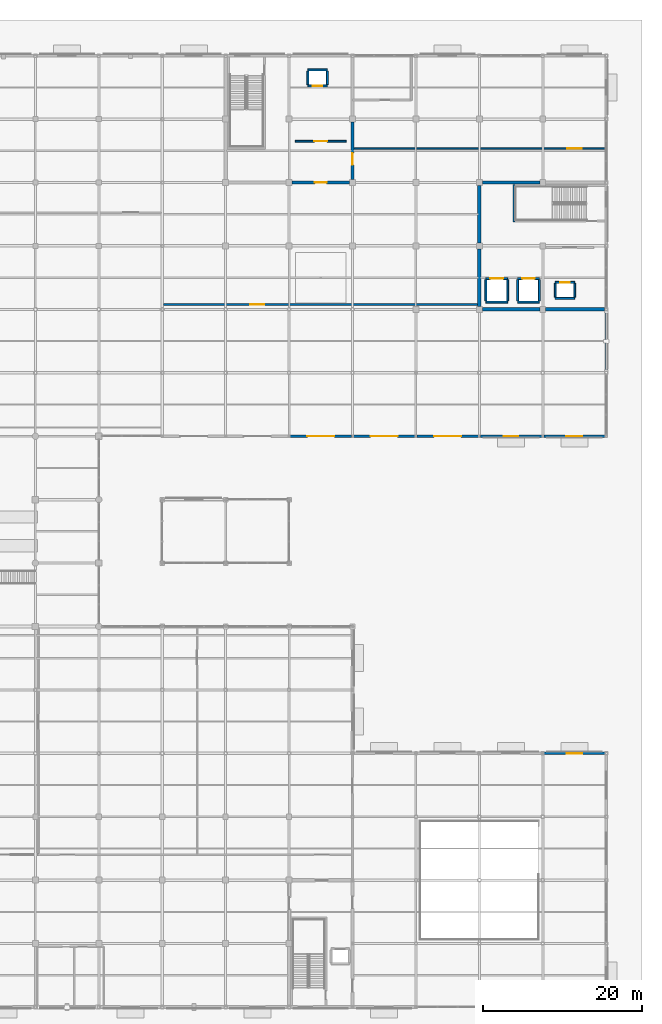
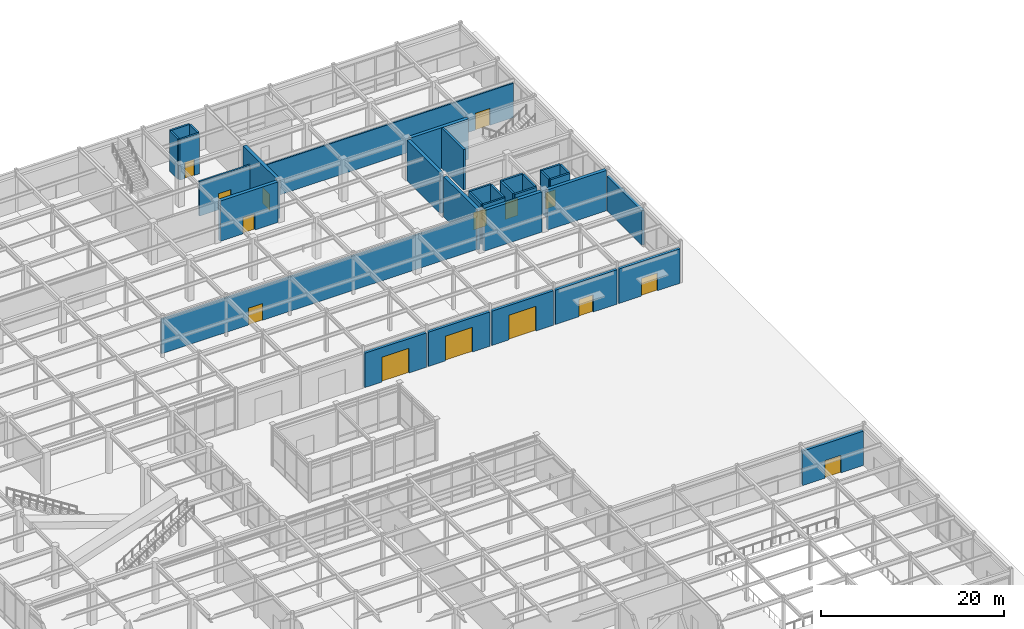
# One storey, part 107 of 128: 34 walls, 15 doors, 15 openings.
"""IFC4 building model written with IfcOpenShell, lengths in metres."""

from ifc_helpers import new_model, si_unit, direction, frame, frame_2d, origin, place, context, subcontext, project, spatial, rectangle, extrude, material, layer, layer_set, type_object, element, fill, save


model = new_model("IFC4")

# Units and contexts
model_context = context("Model", 3, precision=1e-05, world=origin(), true_north=direction((0.0, 1.0)))
body_context = subcontext(model_context, "Body", "Model", "MODEL_VIEW")
ifc_project = project(units=[si_unit("LENGTHUNIT", "METRE"), si_unit("AREAUNIT", "SQUARE_METRE"), si_unit("VOLUMEUNIT", "CUBIC_METRE"), si_unit("PLANEANGLEUNIT", "RADIAN"), si_unit("MASSUNIT", "GRAM", prefix="KILO")], contexts=[model_context])

# Site, building, storey
site_placement = place(None, origin())
site = spatial("IfcSite", under=ifc_project, at=site_placement, CompositionType="ELEMENT")
building_placement = place(site_placement, origin())
building = spatial("IfcBuilding", under=site, at=building_placement, Name="Solmirada Galleria", CompositionType="ELEMENT")
storey_placement = place(building_placement, origin())
storey = spatial("IfcBuildingStorey", under=building, at=storey_placement, Name="L00", CompositionType="ELEMENT", Elevation=0.0)

# Wall, opening, door
ifc_material_1 = material(Name="Concrete C40/50", Category="concrete")
ifc_layer_1 = layer(ifc_material_1, 0.419921875)
ifc_layer_set_1 = layer_set([ifc_layer_1], Name="Concrete C40/50")
wall_type_1 = type_object("IfcWallType", Name="WL-CORE-420", PredefinedType="SHEAR", material=ifc_layer_set_1)
wall_1_placement = place(storey_placement, frame((136.375, 104.0, 0.0), z_axis=(0.0, 0.0, 1.0), x_axis=(1.0, 0.0, 0.0)))
wall_1 = element("IfcWall", 1, at=wall_1_placement, inside=storey, type_object=wall_type_1, Name="Core C3 shear wall L00 S2", PredefinedType="SHEAR", context=body_context, shape_type="SweptSolid", body=[
    extrude(rectangle(XDim=7.25, YDim=0.419921875, at=frame_2d((3.625, 0.0))), origin(), (0.0, 0.0, 1.0), 5.3798828125),
])
opening_1_placement = place(wall_1_placement, frame((2.875, 0.0, 0.0)))
opening_1 = element("IfcOpeningElement", 2, at=opening_1_placement, cuts=wall_1, Name="Opening LDY-174", PredefinedType="OPENING", context=body_context, shape_type="SweptSolid", body=[
    extrude(rectangle(XDim=1.5, YDim=2.14990234375, at=frame_2d((0.75, 1.074951171875))), frame((0.0, 0.219970703125, 0.0), z_axis=(0.0, -1.0, 0.0), x_axis=(1.0, 0.0, 0.0)), (0.0, 0.0, 1.0), 0.43994140625),
])
ifc_material_2 = material(Name="Fire-rated painted steel door assembly", Category="steel")
door_type_1 = type_object("IfcDoorType", Name="DR-LOBBY-150X215", OperationType="DOUBLE_DOOR_SINGLE_SWING", PredefinedType="DOOR", material=ifc_material_2)
door_1_placement = place(opening_1_placement, origin())
door_1 = element("IfcDoor", 3, at=door_1_placement, inside=storey, type_object=door_type_1, Name="Core C3 lobby access fire door LDY-174", OperationType="DOUBLE_DOOR_SINGLE_SWING", OverallHeight=2.14990234375, OverallWidth=1.5, PredefinedType="DOOR", context=body_context, shape_type="SweptSolid", body=[
    extrude(rectangle(XDim=1.5, YDim=2.14990234375, at=frame_2d((0.75, 1.074951171875))), frame((0.0, 0.02490234375, 0.0), z_axis=(0.0, -1.0, 0.0), x_axis=(1.0, 0.0, 0.0)), (0.0, 0.0, 1.0), 0.050048828125),
])
fill(opening_1, door_1)

wall_2_placement = place(storey_placement, frame((144.0, 104.375, 0.0), z_axis=(0.0, 0.0, 1.0), x_axis=(0.0, 1.0, 0.0)))
wall_2 = element("IfcWall", 4, at=wall_2_placement, inside=storey, type_object=wall_type_1, Name="Core C3 shear wall L00 E1", PredefinedType="SHEAR", context=body_context, shape_type="SweptSolid", body=[
    extrude(rectangle(XDim=7.25, YDim=0.419921875, at=frame_2d((3.625, 0.0))), origin(), (0.0, 0.0, 1.0), 5.3798828125),
])
opening_2_placement = place(wall_2_placement, frame((1.837890625, 0.0, 0.0)))
opening_2 = element("IfcOpeningElement", 5, at=opening_2_placement, cuts=wall_2, Name="Opening LDY-175", PredefinedType="OPENING", context=body_context, shape_type="SweptSolid", body=[
    extrude(rectangle(XDim=1.5, YDim=2.14990234375, at=frame_2d((0.75, 1.074951171875))), frame((0.0, 0.219970703125, 0.0), z_axis=(0.0, -1.0, 0.0), x_axis=(1.0, 0.0, 0.0)), (0.0, 0.0, 1.0), 0.43994140625),
])
door_2_placement = place(opening_2_placement, origin())
door_2 = element("IfcDoor", 6, at=door_2_placement, inside=storey, type_object=door_type_1, Name="Core C3 lobby access fire door LDY-175", OperationType="DOUBLE_DOOR_SINGLE_SWING", OverallHeight=2.14990234375, OverallWidth=1.5, PredefinedType="DOOR", context=body_context, shape_type="SweptSolid", body=[
    extrude(rectangle(XDim=1.5, YDim=2.14990234375, at=frame_2d((0.75, 1.074951171875))), frame((0.0, 0.02490234375, 0.0), z_axis=(0.0, -1.0, 0.0), x_axis=(1.0, 0.0, 0.0)), (0.0, 0.0, 1.0), 0.050048828125),
])
fill(opening_2, door_2)

# Walls
wall_3_placement = place(storey_placement, frame((160.375, 88.0, 0.0), z_axis=(0.0, 0.0, 1.0), x_axis=(1.0, 0.0, 0.0)))
element("IfcWall", 7, at=wall_3_placement, inside=storey, type_object=wall_type_1, Name="Core C4 shear wall L00 S1", PredefinedType="SHEAR", context=body_context, shape_type="SweptSolid", body=[
    extrude(rectangle(XDim=7.25, YDim=0.419921875, at=frame_2d((3.625, 0.0))), origin(), (0.0, 0.0, 1.0), 5.3798828125),
])
wall_4_placement = place(storey_placement, frame((168.375, 88.0, 0.0), z_axis=(0.0, 0.0, 1.0), x_axis=(1.0, 0.0, 0.0)))
element("IfcWall", 8, at=wall_4_placement, inside=storey, type_object=wall_type_1, Name="Core C4 shear wall L00 S2", PredefinedType="SHEAR", context=body_context, shape_type="SweptSolid", body=[
    extrude(rectangle(XDim=7.422119140625, YDim=0.419921875, at=frame_2d((3.7109375, 0.0))), origin(), (0.0, 0.0, 1.0), 5.3798828125),
])
for number, where, z_axis, x_axis, name in (
    (9, (160.375, 104.0, 0.0), (0.0, 0.0, 1.0), (1.0, 0.0, 0.0), "Core C4 shear wall L00 N1"),
    (10, (160.0, 88.375, 0.0), (0.0, 0.0, 1.0), (0.0, 1.0, 0.0), "Core C4 shear wall L00 W1"),
    (11, (160.0, 96.375, 0.0), (0.0, 0.0, 1.0), (0.0, 1.0, 0.0), "Core C4 shear wall L00 W2"),
):
    element("IfcWall", number, at=place(storey_placement, frame(where, z_axis=z_axis, x_axis=x_axis)), inside=storey, type_object=wall_type_1, Name=name, PredefinedType="SHEAR", context=body_context, shape_type="SweptSolid", body=[
        extrude(rectangle(XDim=7.25, YDim=0.419921875, at=frame_2d((3.625, 0.0))), origin(), (0.0, 0.0, 1.0), 5.3798828125),
    ])

# Wall, opening, door
ifc_material_3 = material(Name="Precast concrete C40/50", Category="concrete")
ifc_layer_2 = layer(ifc_material_3, 0.340087890625)
ifc_layer_set_2 = layer_set([ifc_layer_2], Name="Precast concrete C40/50")
wall_type_2 = type_object("IfcWallType", Name="WL-EXT-340", PredefinedType="STANDARD", material=ifc_layer_set_2)
wall_5_placement = place(storey_placement, frame((175.847412109375, 72.0, 0.0), z_axis=(0.0, 0.0, 1.0), x_axis=(-1.0, 0.0, 0.0)))
wall_5 = element("IfcWall", 12, at=wall_5_placement, inside=storey, type_object=wall_type_2, Name="Exterior wall L00 bay 039", PredefinedType="STANDARD", context=body_context, shape_type="SweptSolid", body=[
    extrude(rectangle(XDim=7.720458984375, YDim=0.340087890625, at=frame_2d((3.8603515625, 0.0))), origin(), (0.0, 0.0, 1.0), 4.580078125),
])
opening_3_placement = place(wall_5_placement, frame((2.860107421875, 0.0, 0.0)))
opening_3 = element("IfcOpeningElement", 13, at=opening_3_placement, cuts=wall_5, Name="Opening ED-016", PredefinedType="OPENING", context=body_context, shape_type="SweptSolid", body=[
    extrude(rectangle(XDim=2.0, YDim=2.35009765625, at=frame_2d((1.0, 1.175048828125))), frame((0.0, 0.179931640625, 0.0), z_axis=(0.0, -1.0, 0.0), x_axis=(1.0, 0.0, 0.0)), (0.0, 0.0, 1.0), 0.360107421875),
])
ifc_material_4 = material(Name="Thermally broken aluminium and laminated glass door", Category="aluminium")
door_type_2 = type_object("IfcDoorType", Name="DR-ENT-200X235", OperationType="DOUBLE_DOOR_SINGLE_SWING", PredefinedType="DOOR", material=ifc_material_4)
door_3_placement = place(opening_3_placement, origin())
door_3 = element("IfcDoor", 14, at=door_3_placement, inside=storey, type_object=door_type_2, Name="Public avenue entrance door ED-016", OperationType="DOUBLE_DOOR_SINGLE_SWING", OverallHeight=2.35009765625, OverallWidth=2.0, PredefinedType="DOOR", context=body_context, shape_type="SweptSolid", body=[
    extrude(rectangle(XDim=2.0, YDim=2.35009765625, at=frame_2d((1.0, 1.175048828125))), frame((0.0, 0.02490234375, 0.0), z_axis=(0.0, -1.0, 0.0), x_axis=(1.0, 0.0, 0.0)), (0.0, 0.0, 1.0), 0.050048828125),
])
fill(opening_3, door_3)

wall_6_placement = place(storey_placement, frame((167.873046875, 72.0, 0.0), z_axis=(0.0, 0.0, 1.0), x_axis=(-1.0, 0.0, 0.0)))
wall_6 = element("IfcWall", 15, at=wall_6_placement, inside=storey, type_object=wall_type_2, Name="Exterior wall L00 bay 040", PredefinedType="STANDARD", context=body_context, shape_type="SweptSolid", body=[
    extrude(rectangle(XDim=7.74609375, YDim=0.340087890625, at=frame_2d((3.873046875, 0.0))), origin(), (0.0, 0.0, 1.0), 4.580078125),
])
opening_4_placement = place(wall_6_placement, frame((2.972900390625, 0.0, 0.0)))
opening_4 = element("IfcOpeningElement", 16, at=opening_4_placement, cuts=wall_6, Name="Opening ED-017", PredefinedType="OPENING", context=body_context, shape_type="SweptSolid", body=[
    extrude(rectangle(XDim=1.800048828125, YDim=2.300048828125, at=frame_2d((0.89990234375, 1.14990234375))), frame((0.0, 0.179931640625, 0.0), z_axis=(0.0, -1.0, 0.0), x_axis=(1.0, 0.0, 0.0)), (0.0, 0.0, 1.0), 0.360107421875),
])
door_type_3 = type_object("IfcDoorType", Name="DR-ENT-180X230", OperationType="DOUBLE_DOOR_SINGLE_SWING", PredefinedType="DOOR", material=ifc_material_4)
door_4_placement = place(opening_4_placement, origin())
door_4 = element("IfcDoor", 17, at=door_4_placement, inside=storey, type_object=door_type_3, Name="Public avenue entrance door ED-017", OperationType="DOUBLE_DOOR_SINGLE_SWING", OverallHeight=2.300048828125, OverallWidth=1.800048828125, PredefinedType="DOOR", context=body_context, shape_type="SweptSolid", body=[
    extrude(rectangle(XDim=1.800048828125, YDim=2.300048828125, at=frame_2d((0.89990234375, 1.14990234375))), frame((0.0, 0.02490234375, 0.0), z_axis=(0.0, -1.0, 0.0), x_axis=(1.0, 0.0, 0.0)), (0.0, 0.0, 1.0), 0.050048828125),
])
fill(opening_4, door_4)

wall_7_placement = place(storey_placement, frame((159.873046875, 72.0, 0.0), z_axis=(0.0, 0.0, 1.0), x_axis=(-1.0, 0.0, 0.0)))
wall_7 = element("IfcWall", 18, at=wall_7_placement, inside=storey, type_object=wall_type_2, Name="Exterior wall L00 bay 041", PredefinedType="STANDARD", context=body_context, shape_type="SweptSolid", body=[
    extrude(rectangle(XDim=7.74609375, YDim=0.340087890625, at=frame_2d((3.873046875, 0.0))), origin(), (0.0, 0.0, 1.0), 4.580078125),
])
opening_5_placement = place(wall_7_placement, frame((2.173095703125, 0.0, 0.0)))
opening_5 = element("IfcOpeningElement", 19, at=opening_5_placement, cuts=wall_7, Name="Opening DS-018", PredefinedType="OPENING", context=body_context, shape_type="SweptSolid", body=[
    extrude(rectangle(XDim=3.39990234375, YDim=3.300048828125, at=frame_2d((1.699951171875, 1.64990234375))), frame((0.0, 0.179931640625, 0.0), z_axis=(0.0, -1.0, 0.0), x_axis=(1.0, 0.0, 0.0)), (0.0, 0.0, 1.0), 0.360107421875),
])
ifc_material_5 = material(Name="Painted galvanized steel door assembly", Category="steel")
door_type_4 = type_object("IfcDoorType", Name="DR-DOCK-340X330", OperationType="ROLLINGUP", PredefinedType="DOOR", material=ifc_material_5)
door_5_placement = place(opening_5_placement, origin())
door_5 = element("IfcDoor", 20, at=door_5_placement, inside=storey, type_object=door_type_4, Name="Loading dock overhead roller shutter DS-018", OperationType="ROLLINGUP", OverallHeight=3.300048828125, OverallWidth=3.39990234375, PredefinedType="DOOR", context=body_context, shape_type="SweptSolid", body=[
    extrude(rectangle(XDim=3.39990234375, YDim=3.300048828125, at=frame_2d((1.699951171875, 1.64990234375))), frame((0.0, 0.02490234375, 0.0), z_axis=(0.0, -1.0, 0.0), x_axis=(1.0, 0.0, 0.0)), (0.0, 0.0, 1.0), 0.050048828125),
])
fill(opening_5, door_5)

wall_8_placement = place(storey_placement, frame((151.873046875, 72.0, 0.0), z_axis=(0.0, 0.0, 1.0), x_axis=(-1.0, 0.0, 0.0)))
wall_8 = element("IfcWall", 21, at=wall_8_placement, inside=storey, type_object=wall_type_2, Name="Exterior wall L00 bay 042", PredefinedType="STANDARD", context=body_context, shape_type="SweptSolid", body=[
    extrude(rectangle(XDim=7.74609375, YDim=0.340087890625, at=frame_2d((3.873046875, 0.0))), origin(), (0.0, 0.0, 1.0), 4.580078125),
])
opening_6_placement = place(wall_8_placement, frame((2.173095703125, 0.0, 0.0)))
opening_6 = element("IfcOpeningElement", 22, at=opening_6_placement, cuts=wall_8, Name="Opening DS-019", PredefinedType="OPENING", context=body_context, shape_type="SweptSolid", body=[
    extrude(rectangle(XDim=3.39990234375, YDim=3.300048828125, at=frame_2d((1.699951171875, 1.64990234375))), frame((0.0, 0.179931640625, 0.0), z_axis=(0.0, -1.0, 0.0), x_axis=(1.0, 0.0, 0.0)), (0.0, 0.0, 1.0), 0.360107421875),
])
door_6_placement = place(opening_6_placement, origin())
door_6 = element("IfcDoor", 23, at=door_6_placement, inside=storey, type_object=door_type_4, Name="Loading dock overhead roller shutter DS-019", OperationType="ROLLINGUP", OverallHeight=3.300048828125, OverallWidth=3.39990234375, PredefinedType="DOOR", context=body_context, shape_type="SweptSolid", body=[
    extrude(rectangle(XDim=3.39990234375, YDim=3.300048828125, at=frame_2d((1.699951171875, 1.64990234375))), frame((0.0, 0.02490234375, 0.0), z_axis=(0.0, -1.0, 0.0), x_axis=(1.0, 0.0, 0.0)), (0.0, 0.0, 1.0), 0.050048828125),
])
fill(opening_6, door_6)

wall_9_placement = place(storey_placement, frame((143.873046875, 72.0, 0.0), z_axis=(0.0, 0.0, 1.0), x_axis=(-1.0, 0.0, 0.0)))
wall_9 = element("IfcWall", 24, at=wall_9_placement, inside=storey, type_object=wall_type_2, Name="Exterior wall L00 bay 043", PredefinedType="STANDARD", context=body_context, shape_type="SweptSolid", body=[
    extrude(rectangle(XDim=7.74609375, YDim=0.340087890625, at=frame_2d((3.873046875, 0.0))), origin(), (0.0, 0.0, 1.0), 4.580078125),
])
opening_7_placement = place(wall_9_placement, frame((2.173095703125, 0.0, 0.0)))
opening_7 = element("IfcOpeningElement", 25, at=opening_7_placement, cuts=wall_9, Name="Opening DS-020", PredefinedType="OPENING", context=body_context, shape_type="SweptSolid", body=[
    extrude(rectangle(XDim=3.39990234375, YDim=3.300048828125, at=frame_2d((1.699951171875, 1.64990234375))), frame((0.0, 0.179931640625, 0.0), z_axis=(0.0, -1.0, 0.0), x_axis=(1.0, 0.0, 0.0)), (0.0, 0.0, 1.0), 0.360107421875),
])
door_7_placement = place(opening_7_placement, origin())
door_7 = element("IfcDoor", 26, at=door_7_placement, inside=storey, type_object=door_type_4, Name="Loading dock overhead roller shutter DS-020", OperationType="ROLLINGUP", OverallHeight=3.300048828125, OverallWidth=3.39990234375, PredefinedType="DOOR", context=body_context, shape_type="SweptSolid", body=[
    extrude(rectangle(XDim=3.39990234375, YDim=3.300048828125, at=frame_2d((1.699951171875, 1.64990234375))), frame((0.0, 0.02490234375, 0.0), z_axis=(0.0, -1.0, 0.0), x_axis=(1.0, 0.0, 0.0)), (0.0, 0.0, 1.0), 0.050048828125),
])
fill(opening_7, door_7)

wall_10_placement = place(storey_placement, frame((168.177978515625, 32.0, 0.0), z_axis=(0.0, 0.0, 1.0), x_axis=(1.0, 0.0, 0.0)))
wall_10 = element("IfcWall", 27, at=wall_10_placement, inside=storey, type_object=wall_type_2, Name="Exterior wall L00 bay 059", PredefinedType="STANDARD", context=body_context, shape_type="SweptSolid", body=[
    extrude(rectangle(XDim=7.64404296875, YDim=0.340087890625, at=frame_2d((3.822021484375, 0.0))), origin(), (0.0, 0.0, 1.0), 4.580078125),
])
opening_8_placement = place(wall_10_placement, frame((2.822021484375, 0.0, 0.0)))
opening_8 = element("IfcOpeningElement", 28, at=opening_8_placement, cuts=wall_10, Name="Opening ED-028", PredefinedType="OPENING", context=body_context, shape_type="SweptSolid", body=[
    extrude(rectangle(XDim=2.0, YDim=2.35009765625, at=frame_2d((1.0, 1.175048828125))), frame((0.0, 0.179931640625, 0.0), z_axis=(0.0, -1.0, 0.0), x_axis=(1.0, 0.0, 0.0)), (0.0, 0.0, 1.0), 0.360107421875),
])
door_8_placement = place(opening_8_placement, origin())
door_8 = element("IfcDoor", 29, at=door_8_placement, inside=storey, type_object=door_type_2, Name="Public avenue entrance door ED-028", OperationType="DOUBLE_DOOR_SINGLE_SWING", OverallHeight=2.35009765625, OverallWidth=2.0, PredefinedType="DOOR", context=body_context, shape_type="SweptSolid", body=[
    extrude(rectangle(XDim=2.0, YDim=2.35009765625, at=frame_2d((1.0, 1.175048828125))), frame((0.0, 0.02490234375, 0.0), z_axis=(0.0, -1.0, 0.0), x_axis=(1.0, 0.0, 0.0)), (0.0, 0.0, 1.0), 0.050048828125),
])
fill(opening_8, door_8)

ifc_layer_3 = layer(ifc_material_1, 0.239990234375)
ifc_layer_set_3 = layer_set([ifc_layer_3], Name="Concrete C40/50")
wall_type_3 = type_object("IfcWallType", Name="WL-HOIST-240", PredefinedType="PARTITIONING", material=ifc_layer_set_3)
wall_11_placement = place(storey_placement, frame((138.3701171875, 116.195068359375, 0.0), z_axis=(0.0, 0.0, 1.0), x_axis=(1.0, 0.0, 0.0)))
wall_11 = element("IfcWall", 30, at=wall_11_placement, inside=storey, type_object=wall_type_3, Name="Lift FL1 hoistway front wall L00", PredefinedType="PARTITIONING", context=body_context, shape_type="SweptSolid", body=[
    extrude(rectangle(XDim=2.4599609375, YDim=0.239990234375, at=frame_2d((1.22998046875, 0.0))), origin(), (0.0, 0.0, 1.0), 5.3798828125),
])
opening_9_placement = place(wall_11_placement, frame((0.6298828125, 0.0, 0.0)))
opening_9 = element("IfcOpeningElement", 31, at=opening_9_placement, cuts=wall_11, Name="Opening LD-FL1-L00", PredefinedType="OPENING", context=body_context, shape_type="SweptSolid", body=[
    extrude(rectangle(XDim=1.199951171875, YDim=2.14990234375, at=frame_2d((0.60009765625, 1.074951171875))), frame((0.0, 0.1298828125, 0.0), z_axis=(0.0, -1.0, 0.0), x_axis=(1.0, 0.0, 0.0)), (0.0, 0.0, 1.0), 0.260009765625),
])
ifc_material_6 = material(Name="Brushed stainless-steel sliding landing door", Category="steel")
door_type_5 = type_object("IfcDoorType", Name="DR-LIFT-120X215", OperationType="SLIDING_TO_LEFT", PredefinedType="DOOR", material=ifc_material_6)
door_9_placement = place(opening_9_placement, origin())
door_9 = element("IfcDoor", 32, at=door_9_placement, inside=storey, type_object=door_type_5, Name="Lift FL1 sliding landing door L00", OperationType="SLIDING_TO_LEFT", OverallHeight=2.14990234375, OverallWidth=1.199951171875, PredefinedType="DOOR", context=body_context, shape_type="SweptSolid", body=[
    extrude(rectangle(XDim=1.199951171875, YDim=2.14990234375, at=frame_2d((0.60009765625, 1.074951171875))), frame((0.0, 0.02490234375, 0.0), z_axis=(0.0, -1.0, 0.0), x_axis=(1.0, 0.0, 0.0)), (0.0, 0.0, 1.0), 0.050048828125),
])
fill(opening_9, door_9)

# Walls
wall_12_placement = place(storey_placement, frame((138.3701171875, 118.205078125, 0.0), z_axis=(0.0, 0.0, 1.0), x_axis=(1.0, 0.0, 0.0)))
element("IfcWall", 33, at=wall_12_placement, inside=storey, type_object=wall_type_3, Name="Lift FL1 hoistway rear wall L00", PredefinedType="PARTITIONING", context=body_context, shape_type="SweptSolid", body=[
    extrude(rectangle(XDim=2.4599609375, YDim=0.239990234375, at=frame_2d((1.22998046875, 0.0))), origin(), (0.0, 0.0, 1.0), 5.3798828125),
])
for number, where, z_axis, x_axis, name in (
    (34, (138.3701171875, 116.3349609375, 0.0), (0.0, 0.0, 1.0), (0.0, 1.0, 0.0), "Lift FL1 hoistway side wall L L00"),
    (35, (140.830078125, 116.3349609375, 0.0), (0.0, 0.0, 1.0), (0.0, 1.0, 0.0), "Lift FL1 hoistway side wall R L00"),
):
    element("IfcWall", number, at=place(storey_placement, frame(where, z_axis=z_axis, x_axis=x_axis)), inside=storey, type_object=wall_type_3, Name=name, PredefinedType="PARTITIONING", context=body_context, shape_type="SweptSolid", body=[
        extrude(rectangle(XDim=1.72998046875, YDim=0.239990234375, at=frame_2d((0.864990234375, 0.0))), origin(), (0.0, 0.0, 1.0), 5.3798828125),
    ])

# Wall, opening, door
wall_13_placement = place(storey_placement, frame((169.570068359375, 91.405029296875, 0.0), z_axis=(0.0, 0.0, 1.0), x_axis=(1.0, 0.0, 0.0)))
wall_13 = element("IfcWall", 36, at=wall_13_placement, inside=storey, type_object=wall_type_3, Name="Lift FL2 hoistway front wall L00", PredefinedType="PARTITIONING", context=body_context, shape_type="SweptSolid", body=[
    extrude(rectangle(XDim=2.4599609375, YDim=0.239990234375, at=frame_2d((1.22998046875, 0.0))), origin(), (0.0, 0.0, 1.0), 5.3798828125),
])
opening_10_placement = place(wall_13_placement, frame((0.6298828125, 0.0, 0.0)))
opening_10 = element("IfcOpeningElement", 37, at=opening_10_placement, cuts=wall_13, Name="Opening LD-FL2-L00", PredefinedType="OPENING", context=body_context, shape_type="SweptSolid", body=[
    extrude(rectangle(XDim=1.199951171875, YDim=2.14990234375, at=frame_2d((0.60009765625, 1.074951171875))), frame((0.0, 0.1298828125, 0.0), z_axis=(0.0, -1.0, 0.0), x_axis=(1.0, 0.0, 0.0)), (0.0, 0.0, 1.0), 0.260009765625),
])
door_10_placement = place(opening_10_placement, origin())
door_10 = element("IfcDoor", 38, at=door_10_placement, inside=storey, type_object=door_type_5, Name="Lift FL2 sliding landing door L00", OperationType="SLIDING_TO_LEFT", OverallHeight=2.14990234375, OverallWidth=1.199951171875, PredefinedType="DOOR", context=body_context, shape_type="SweptSolid", body=[
    extrude(rectangle(XDim=1.199951171875, YDim=2.14990234375, at=frame_2d((0.60009765625, 1.074951171875))), frame((0.0, 0.02490234375, 0.0), z_axis=(0.0, -1.0, 0.0), x_axis=(1.0, 0.0, 0.0)), (0.0, 0.0, 1.0), 0.050048828125),
])
fill(opening_10, door_10)

# Walls
wall_14_placement = place(storey_placement, frame((169.570068359375, 89.39501953125, 0.0), z_axis=(0.0, 0.0, 1.0), x_axis=(1.0, 0.0, 0.0)))
element("IfcWall", 39, at=wall_14_placement, inside=storey, type_object=wall_type_3, Name="Lift FL2 hoistway rear wall L00", PredefinedType="PARTITIONING", context=body_context, shape_type="SweptSolid", body=[
    extrude(rectangle(XDim=2.4599609375, YDim=0.239990234375, at=frame_2d((1.22998046875, 0.0))), origin(), (0.0, 0.0, 1.0), 5.3798828125),
])
for number, where, z_axis, x_axis, name in (
    (40, (169.570068359375, 89.534912109375, 0.0), (0.0, 0.0, 1.0), (0.0, 1.0, 0.0), "Lift FL2 hoistway side wall L L00"),
    (41, (172.030029296875, 89.534912109375, 0.0), (0.0, 0.0, 1.0), (0.0, 1.0, 0.0), "Lift FL2 hoistway side wall R L00"),
):
    element("IfcWall", number, at=place(storey_placement, frame(where, z_axis=z_axis, x_axis=x_axis)), inside=storey, type_object=wall_type_3, Name=name, PredefinedType="PARTITIONING", context=body_context, shape_type="SweptSolid", body=[
        extrude(rectangle(XDim=1.72998046875, YDim=0.239990234375, at=frame_2d((0.864990234375, 0.0))), origin(), (0.0, 0.0, 1.0), 5.3798828125),
    ])

# Wall, opening, door
wall_15_placement = place(storey_placement, frame((164.820068359375, 91.8798828125, 0.0), z_axis=(0.0, 0.0, 1.0), x_axis=(1.0, 0.0, 0.0)))
wall_15 = element("IfcWall", 42, at=wall_15_placement, inside=storey, type_object=wall_type_3, Name="Lift GF1 hoistway front wall L00", PredefinedType="PARTITIONING", context=body_context, shape_type="SweptSolid", body=[
    extrude(rectangle(XDim=2.760009765625, YDim=0.239990234375, at=frame_2d((1.3798828125, 0.0))), origin(), (0.0, 0.0, 1.0), 5.3798828125),
])
opening_11_placement = place(wall_15_placement, frame((0.580078125, 0.0, 0.0)))
opening_11 = element("IfcOpeningElement", 43, at=opening_11_placement, cuts=wall_15, Name="Opening LD-GF1-L00", PredefinedType="OPENING", context=body_context, shape_type="SweptSolid", body=[
    extrude(rectangle(XDim=1.60009765625, YDim=2.300048828125, at=frame_2d((0.800048828125, 1.14990234375))), frame((0.0, 0.1298828125, 0.0), z_axis=(0.0, -1.0, 0.0), x_axis=(1.0, 0.0, 0.0)), (0.0, 0.0, 1.0), 0.260009765625),
])
door_type_6 = type_object("IfcDoorType", Name="DR-LIFT-160X230", OperationType="SLIDING_TO_LEFT", PredefinedType="DOOR", material=ifc_material_6)
door_11_placement = place(opening_11_placement, origin())
door_11 = element("IfcDoor", 44, at=door_11_placement, inside=storey, type_object=door_type_6, Name="Lift GF1 sliding landing door L00", OperationType="SLIDING_TO_LEFT", OverallHeight=2.300048828125, OverallWidth=1.60009765625, PredefinedType="DOOR", context=body_context, shape_type="SweptSolid", body=[
    extrude(rectangle(XDim=1.60009765625, YDim=2.300048828125, at=frame_2d((0.800048828125, 1.14990234375))), frame((0.0, 0.02490234375, 0.0), z_axis=(0.0, -1.0, 0.0), x_axis=(1.0, 0.0, 0.0)), (0.0, 0.0, 1.0), 0.050048828125),
])
fill(opening_11, door_11)

# Walls
wall_16_placement = place(storey_placement, frame((164.820068359375, 88.919921875, 0.0), z_axis=(0.0, 0.0, 1.0), x_axis=(1.0, 0.0, 0.0)))
element("IfcWall", 45, at=wall_16_placement, inside=storey, type_object=wall_type_3, Name="Lift GF1 hoistway rear wall L00", PredefinedType="PARTITIONING", context=body_context, shape_type="SweptSolid", body=[
    extrude(rectangle(XDim=2.760009765625, YDim=0.239990234375, at=frame_2d((1.3798828125, 0.0))), origin(), (0.0, 0.0, 1.0), 5.3798828125),
])
for number, where, z_axis, x_axis, name in (
    (46, (164.820068359375, 89.06005859375, 0.0), (0.0, 0.0, 1.0), (0.0, 1.0, 0.0), "Lift GF1 hoistway side wall L L00"),
    (47, (167.580078125, 89.06005859375, 0.0), (0.0, 0.0, 1.0), (0.0, 1.0, 0.0), "Lift GF1 hoistway side wall R L00"),
):
    element("IfcWall", number, at=place(storey_placement, frame(where, z_axis=z_axis, x_axis=x_axis)), inside=storey, type_object=wall_type_3, Name=name, PredefinedType="PARTITIONING", context=body_context, shape_type="SweptSolid", body=[
        extrude(rectangle(XDim=2.679931640625, YDim=0.239990234375, at=frame_2d((1.33984375, 0.0))), origin(), (0.0, 0.0, 1.0), 5.3798828125),
    ])

# Wall, opening, door
wall_17_placement = place(storey_placement, frame((160.820068359375, 91.8798828125, 0.0), z_axis=(0.0, 0.0, 1.0), x_axis=(1.0, 0.0, 0.0)))
wall_17 = element("IfcWall", 48, at=wall_17_placement, inside=storey, type_object=wall_type_3, Name="Lift GF2 hoistway front wall L00", PredefinedType="PARTITIONING", context=body_context, shape_type="SweptSolid", body=[
    extrude(rectangle(XDim=2.760009765625, YDim=0.239990234375, at=frame_2d((1.3798828125, 0.0))), origin(), (0.0, 0.0, 1.0), 5.3798828125),
])
opening_12_placement = place(wall_17_placement, frame((0.580078125, 0.0, 0.0)))
opening_12 = element("IfcOpeningElement", 49, at=opening_12_placement, cuts=wall_17, Name="Opening LD-GF2-L00", PredefinedType="OPENING", context=body_context, shape_type="SweptSolid", body=[
    extrude(rectangle(XDim=1.60009765625, YDim=2.300048828125, at=frame_2d((0.800048828125, 1.14990234375))), frame((0.0, 0.1298828125, 0.0), z_axis=(0.0, -1.0, 0.0), x_axis=(1.0, 0.0, 0.0)), (0.0, 0.0, 1.0), 0.260009765625),
])
door_12_placement = place(opening_12_placement, origin())
door_12 = element("IfcDoor", 50, at=door_12_placement, inside=storey, type_object=door_type_6, Name="Lift GF2 sliding landing door L00", OperationType="SLIDING_TO_LEFT", OverallHeight=2.300048828125, OverallWidth=1.60009765625, PredefinedType="DOOR", context=body_context, shape_type="SweptSolid", body=[
    extrude(rectangle(XDim=1.60009765625, YDim=2.300048828125, at=frame_2d((0.800048828125, 1.14990234375))), frame((0.0, 0.02490234375, 0.0), z_axis=(0.0, -1.0, 0.0), x_axis=(1.0, 0.0, 0.0)), (0.0, 0.0, 1.0), 0.050048828125),
])
fill(opening_12, door_12)

# Walls
wall_18_placement = place(storey_placement, frame((160.820068359375, 88.919921875, 0.0), z_axis=(0.0, 0.0, 1.0), x_axis=(1.0, 0.0, 0.0)))
element("IfcWall", 51, at=wall_18_placement, inside=storey, type_object=wall_type_3, Name="Lift GF2 hoistway rear wall L00", PredefinedType="PARTITIONING", context=body_context, shape_type="SweptSolid", body=[
    extrude(rectangle(XDim=2.760009765625, YDim=0.239990234375, at=frame_2d((1.3798828125, 0.0))), origin(), (0.0, 0.0, 1.0), 5.3798828125),
])
for number, where, z_axis, x_axis, name in (
    (52, (160.820068359375, 89.06005859375, 0.0), (0.0, 0.0, 1.0), (0.0, 1.0, 0.0), "Lift GF2 hoistway side wall L L00"),
    (53, (163.580078125, 89.06005859375, 0.0), (0.0, 0.0, 1.0), (0.0, 1.0, 0.0), "Lift GF2 hoistway side wall R L00"),
):
    element("IfcWall", number, at=place(storey_placement, frame(where, z_axis=z_axis, x_axis=x_axis)), inside=storey, type_object=wall_type_3, Name=name, PredefinedType="PARTITIONING", context=body_context, shape_type="SweptSolid", body=[
        extrude(rectangle(XDim=2.679931640625, YDim=0.239990234375, at=frame_2d((1.33984375, 0.0))), origin(), (0.0, 0.0, 1.0), 5.3798828125),
    ])

# Wall, opening, door
ifc_material_7 = material(Name="Fire-rated gypsum and steel-stud partition", Category="steel")
ifc_layer_4 = layer(ifc_material_7, 0.18994140625)
ifc_layer_set_4 = layer_set([ifc_layer_4], Name="Fire-rated gypsum and steel-stud partition")
wall_type_4 = type_object("IfcWallType", Name="WL-PART-190", PredefinedType="PARTITIONING", material=ifc_layer_set_4)
wall_19_placement = place(storey_placement, frame((144.0, 108.300048828125, 0.0), z_axis=(0.0, 0.0, 1.0), x_axis=(1.0, 0.0, 0.0)))
wall_19 = element("IfcWall", 54, at=wall_19_placement, inside=storey, type_object=wall_type_4, Name="Partition L00-036 (Ground Stockroom)", PredefinedType="PARTITIONING", context=body_context, shape_type="SweptSolid", body=[
    extrude(rectangle(XDim=31.85009765625, YDim=0.18994140625, at=frame_2d((15.925048828125, 0.0))), origin(), (0.0, 0.0, 1.0), 4.580078125),
])
opening_13_placement = place(wall_19_placement, frame((27.091064453125, 0.0, 0.0)))
opening_13 = element("IfcOpeningElement", 55, at=opening_13_placement, cuts=wall_19, Name="Opening ID-282", PredefinedType="OPENING", context=body_context, shape_type="SweptSolid", body=[
    extrude(rectangle(XDim=1.800048828125, YDim=2.25, at=frame_2d((0.89990234375, 1.125))), frame((0.0, 0.10498046875, 0.0), z_axis=(0.0, -1.0, 0.0), x_axis=(1.0, 0.0, 0.0)), (0.0, 0.0, 1.0), 0.2099609375),
])
door_type_7 = type_object("IfcDoorType", Name="DR-STOCK-180X225", OperationType="DOUBLE_DOOR_SINGLE_SWING", PredefinedType="DOOR", material=ifc_material_2)
door_13_placement = place(opening_13_placement, origin())
door_13 = element("IfcDoor", 56, at=door_13_placement, inside=storey, type_object=door_type_7, Name="Ground Stockroom door ID-282", OperationType="DOUBLE_DOOR_SINGLE_SWING", OverallHeight=2.25, OverallWidth=1.800048828125, PredefinedType="DOOR", context=body_context, shape_type="SweptSolid", body=[
    extrude(rectangle(XDim=1.800048828125, YDim=2.25, at=frame_2d((0.89990234375, 1.125))), frame((0.0, 0.02490234375, 0.0), z_axis=(0.0, -1.0, 0.0), x_axis=(1.0, 0.0, 0.0)), (0.0, 0.0, 1.0), 0.050048828125),
])
fill(opening_13, door_13)

ifc_layer_5 = layer(ifc_material_7, 0.219970703125)
ifc_layer_set_5 = layer_set([ifc_layer_5], Name="Fire-rated gypsum and steel-stud partition")
wall_type_5 = type_object("IfcWallType", Name="WL-PART-220", PredefinedType="PARTITIONING", material=ifc_layer_set_5)
wall_20_placement = place(storey_placement, frame((136.800048828125, 109.199951171875, 0.0), z_axis=(0.0, 0.0, 1.0), x_axis=(1.0, 0.0, 0.0)))
wall_20 = element("IfcWall", 57, at=wall_20_placement, inside=storey, type_object=wall_type_5, Name="Firefighting lift lobby C3 smoke barrier L00", PredefinedType="PARTITIONING", context=body_context, shape_type="SweptSolid", body=[
    extrude(rectangle(XDim=6.39990234375, YDim=0.219970703125, at=frame_2d((3.199951171875, 0.0))), origin(), (0.0, 0.0, 1.0), 4.580078125),
])
opening_14_placement = place(wall_20_placement, frame((2.39990234375, 0.0, 0.0)))
opening_14 = element("IfcOpeningElement", 58, at=opening_14_placement, cuts=wall_20, Name="Opening FD-176", PredefinedType="OPENING", context=body_context, shape_type="SweptSolid", body=[
    extrude(rectangle(XDim=1.60009765625, YDim=2.14990234375, at=frame_2d((0.800048828125, 1.074951171875))), frame((0.0, 0.119873046875, 0.0), z_axis=(0.0, -1.0, 0.0), x_axis=(1.0, 0.0, 0.0)), (0.0, 0.0, 1.0), 0.239990234375),
])
door_type_8 = type_object("IfcDoorType", Name="DR-FFLOB-160X215", OperationType="DOUBLE_DOOR_SINGLE_SWING", PredefinedType="DOOR", material=ifc_material_2)
door_14_placement = place(opening_14_placement, origin())
door_14 = element("IfcDoor", 59, at=door_14_placement, inside=storey, type_object=door_type_8, Name="Firefighting lift lobby internal door FD-176", OperationType="DOUBLE_DOOR_SINGLE_SWING", OverallHeight=2.14990234375, OverallWidth=1.60009765625, PredefinedType="DOOR", context=body_context, shape_type="SweptSolid", body=[
    extrude(rectangle(XDim=1.60009765625, YDim=2.14990234375, at=frame_2d((0.800048828125, 1.074951171875))), frame((0.0, 0.02490234375, 0.0), z_axis=(0.0, -1.0, 0.0), x_axis=(1.0, 0.0, 0.0)), (0.0, 0.0, 1.0), 0.050048828125),
])
fill(opening_14, door_14)

wall_21_placement = place(storey_placement, frame((120.14990234375, 88.60009765625, 0.0), z_axis=(0.0, 0.0, 1.0), x_axis=(1.0, 0.0, 0.0)))
wall_21 = element("IfcWall", 60, at=wall_21_placement, inside=storey, type_object=wall_type_5, Name="Partition L00-035 (Truck Dock Separation)", PredefinedType="PARTITIONING", context=body_context, shape_type="SweptSolid", body=[
    extrude(rectangle(XDim=39.85009765625, YDim=0.219970703125, at=frame_2d((19.925048828125, 0.0))), origin(), (0.0, 0.0, 1.0), 4.580078125),
])
opening_15_placement = place(wall_21_placement, frame((10.927001953125, 0.0, 0.0)))
opening_15 = element("IfcOpeningElement", 61, at=opening_15_placement, cuts=wall_21, Name="Opening ID-281", PredefinedType="OPENING", context=body_context, shape_type="SweptSolid", body=[
    extrude(rectangle(XDim=1.800048828125, YDim=2.25, at=frame_2d((0.89990234375, 1.125))), frame((0.0, 0.119873046875, 0.0), z_axis=(0.0, -1.0, 0.0), x_axis=(1.0, 0.0, 0.0)), (0.0, 0.0, 1.0), 0.239990234375),
])
door_15_placement = place(opening_15_placement, origin())
door_15 = element("IfcDoor", 62, at=door_15_placement, inside=storey, type_object=door_type_7, Name="Truck Dock Separation door ID-281", OperationType="DOUBLE_DOOR_SINGLE_SWING", OverallHeight=2.25, OverallWidth=1.800048828125, PredefinedType="DOOR", context=body_context, shape_type="SweptSolid", body=[
    extrude(rectangle(XDim=1.800048828125, YDim=2.25, at=frame_2d((0.89990234375, 1.125))), frame((0.0, 0.02490234375, 0.0), z_axis=(0.0, -1.0, 0.0), x_axis=(1.0, 0.0, 0.0)), (0.0, 0.0, 1.0), 0.050048828125),
])
fill(opening_15, door_15)

# Walls
ifc_layer_6 = layer(ifc_material_1, 0.260009765625)
ifc_layer_set_6 = layer_set([ifc_layer_6], Name="Concrete C40/50")
wall_type_6 = type_object("IfcWallType", Name="WL-SHAFT-260", PredefinedType="SHEAR", material=ifc_layer_set_6)
wall_22_placement = place(storey_placement, frame((164.3701171875, 98.989990234375, 0.0), z_axis=(0.0, 0.0, 1.0), x_axis=(0.0, 1.0, 0.0)))
element("IfcWall", 63, at=wall_22_placement, inside=storey, type_object=wall_type_6, Name="Stair ST4 enclosure wall L00 W", PredefinedType="SHEAR", context=body_context, shape_type="SweptSolid", body=[
    extrude(rectangle(XDim=4.77001953125, YDim=0.260009765625, at=frame_2d((2.385009765625, 0.0))), origin(), (0.0, 0.0, 1.0), 5.3798828125),
])
ifc_material_8 = material(Name="Architectural concrete masonry C30/37", Category="masonry")
ifc_layer_7 = layer(ifc_material_8, 0.360107421875)
ifc_layer_set_7 = layer_set([ifc_layer_7], Name="Architectural concrete masonry C30/37")
wall_type_7 = type_object("IfcWallType", Name="WL-SOLID-360", PredefinedType="SOLIDWALL", material=ifc_layer_set_7)
wall_23_placement = place(storey_placement, frame((176.0, 87.797119140625, 0.0), z_axis=(0.0, 0.0, 1.0), x_axis=(0.0, -1.0, 0.0)))
element("IfcWall", 64, at=wall_23_placement, inside=storey, type_object=wall_type_7, Name="Exterior wall L00 bay 037", PredefinedType="SOLIDWALL", context=body_context, shape_type="SweptSolid", body=[
    extrude(rectangle(XDim=7.619140625, YDim=0.360107421875, at=frame_2d((3.8095703125, 0.0))), origin(), (0.0, 0.0, 1.0), 4.580078125),
])

save(model, "model.ifc")
